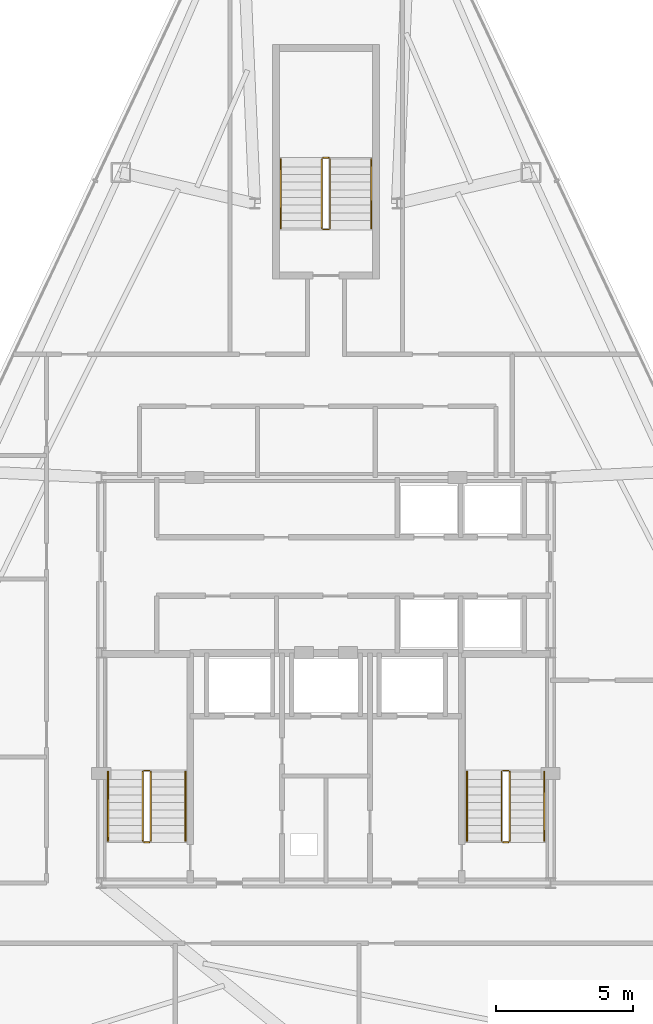
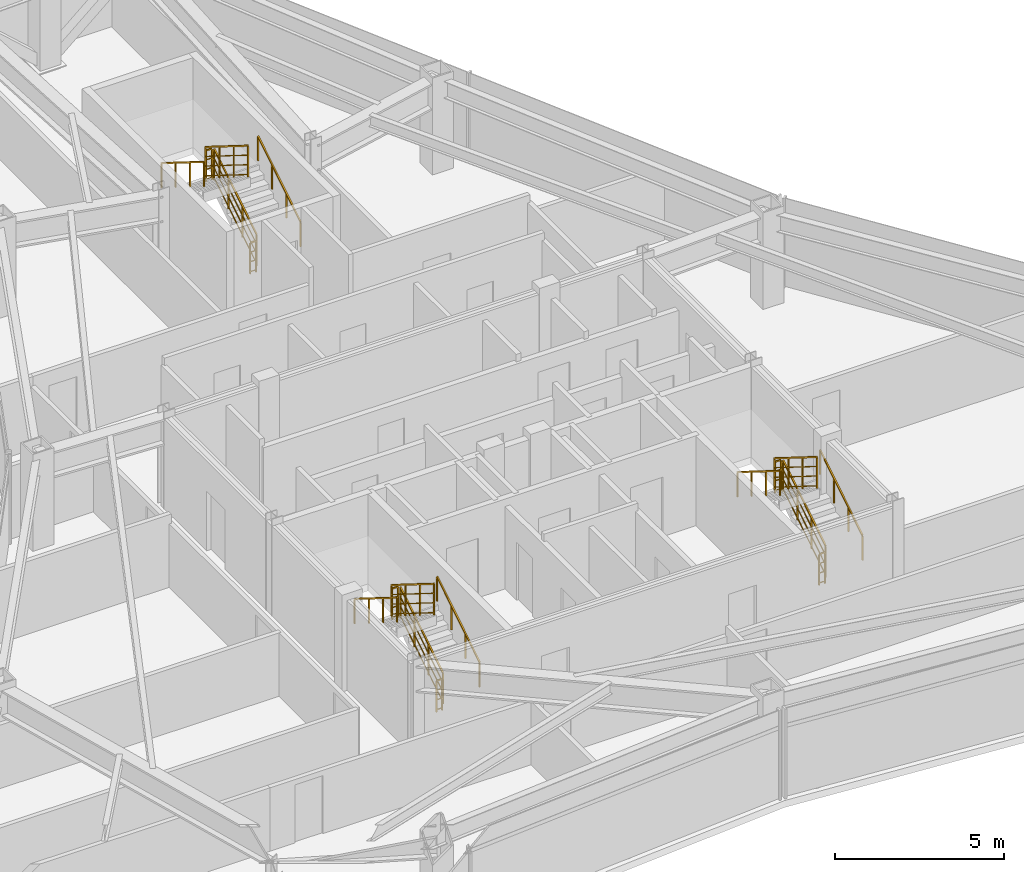
# One storey, part 12 of 12: 18 railings.
"""IFC4 building model written with IfcOpenShell, lengths in metres."""

from ifc_helpers import new_model, si_unit, direction, frame, origin, origin_2d, place, context, subcontext, project, spatial, rectangle, extrude, material, type_object, element, save


model = new_model("IFC4")

# Units and contexts
model_context = context("Model", 3, precision=1e-05, world=origin(), true_north=direction((0.0, 1.0)))
body_context = subcontext(model_context, "Body", "Model", "MODEL_VIEW")
ifc_project = project(units=[si_unit("LENGTHUNIT", "METRE"), si_unit("AREAUNIT", "SQUARE_METRE"), si_unit("VOLUMEUNIT", "CUBIC_METRE"), si_unit("PLANEANGLEUNIT", "RADIAN"), si_unit("MASSUNIT", "GRAM", prefix="KILO")], contexts=[model_context])

# Site, building, storey
site_placement = place(None, origin())
site = spatial("IfcSite", under=ifc_project, at=site_placement, CompositionType="ELEMENT")
building_placement = place(site_placement, origin())
building = spatial("IfcBuilding", under=site, at=building_placement, Name="Varakhsha Concourse Tower", CompositionType="ELEMENT")
storey_placement = place(building_placement, frame((0.0, 0.0, 229.39990234375)))
storey = spatial("IfcBuildingStorey", under=building, at=storey_placement, Name="L65", CompositionType="ELEMENT", Elevation=229.39990234375)

# Railings
ifc_material = material(Name="Brushed Austenitic Stainless Steel AISI 316", Category="steel")
railing_type_1 = type_object("IfcRailingType", Name="RL-STAIR-GUARD-1100", PredefinedType="GUARDRAIL", material=ifc_material)
railing_1_placement = place(storey_placement, frame((33.610107421875, 17.93994140625, 0.175048828125)))
element("IfcRailing", 1, at=railing_1_placement, inside=storey, type_object=railing_type_1, Name="L65 ST1 stair guard 1", PredefinedType="GUARDRAIL", context=body_context, shape_type="SweptSolid", body=[
    extrude(rectangle(XDim=0.048095703125, YDim=0.048095703125, at=origin_2d()), frame((0.0, 0.0, 1.1259765625), z_axis=(0.0, 0.848007534815, 0.529984170421), x_axis=(-1.0, 0.0, 0.0)), (0.0, 0.0, 1.0), 2.9716796875),
    extrude(rectangle(XDim=0.028076171875, YDim=0.028076171875, at=origin_2d()), frame((0.0, 0.0, 0.080078125), z_axis=(0.0, 0.848007534815, 0.529984170421), x_axis=(-1.0, 0.0, 0.0)), (0.0, 0.0, 1.0), 2.9716796875),
    extrude(rectangle(XDim=0.028076171875, YDim=0.028076171875, at=origin_2d()), frame((0.0, 0.0, 0.43701171875), z_axis=(0.0, 0.848007534815, 0.529984170421), x_axis=(-1.0, 0.0, 0.0)), (0.0, 0.0, 1.0), 2.9716796875),
    extrude(rectangle(XDim=0.028076171875, YDim=0.028076171875, at=origin_2d()), frame((0.0, 0.0, 0.781982421875), z_axis=(0.0, 0.848007534815, 0.529984170421), x_axis=(-1.0, 0.0, 0.0)), (0.0, 0.0, 1.0), 2.9716796875),
    extrude(rectangle(XDim=0.0419921875, YDim=0.0419921875, at=origin_2d()), origin(), (0.0, 0.0, 1.0), 1.101806640625),
    extrude(rectangle(XDim=0.0419921875, YDim=0.0419921875, at=origin_2d()), frame((0.0, 0.840087890625, 0.52490234375)), (0.0, 0.0, 1.0), 1.101806640625),
    extrude(rectangle(XDim=0.0419921875, YDim=0.0419921875, at=origin_2d()), frame((0.0, 1.679931640625, 1.050048828125)), (0.0, 0.0, 1.0), 1.101806640625),
    extrude(rectangle(XDim=0.0419921875, YDim=0.0419921875, at=origin_2d()), frame((0.0, 2.52001953125, 1.574951171875)), (0.0, 0.0, 1.0), 1.101806640625),
])
railing_2_placement = place(storey_placement, frame((33.56005859375, 20.510009765625, 1.75)))
element("IfcRailing", 2, at=railing_2_placement, inside=storey, type_object=railing_type_1, Name="L65 ST1 stair guard 2", PredefinedType="GUARDRAIL", context=body_context, shape_type="SweptSolid", body=[
    extrude(rectangle(XDim=0.048095703125, YDim=0.048095703125, at=origin_2d()), frame((0.0, 0.0, 1.1259765625), z_axis=(-1.0, 0.0, 0.0), x_axis=(0.0, -1.0, 0.0)), (0.0, 0.0, 1.0), 0.199951171875),
    extrude(rectangle(XDim=0.028076171875, YDim=0.028076171875, at=origin_2d()), frame((0.0, 0.0, 0.080078125), z_axis=(-1.0, 0.0, 0.0), x_axis=(0.0, -1.0, 0.0)), (0.0, 0.0, 1.0), 0.199951171875),
    extrude(rectangle(XDim=0.028076171875, YDim=0.028076171875, at=origin_2d()), frame((0.0, 0.0, 0.43701171875), z_axis=(-1.0, 0.0, 0.0), x_axis=(0.0, -1.0, 0.0)), (0.0, 0.0, 1.0), 0.199951171875),
    extrude(rectangle(XDim=0.028076171875, YDim=0.028076171875, at=origin_2d()), frame((0.0, 0.0, 0.781982421875), z_axis=(-1.0, 0.0, 0.0), x_axis=(0.0, -1.0, 0.0)), (0.0, 0.0, 1.0), 0.199951171875),
    extrude(rectangle(XDim=0.0419921875, YDim=0.0419921875, at=origin_2d()), origin(), (0.0, 0.0, 1.0), 1.101806640625),
    extrude(rectangle(XDim=0.0419921875, YDim=0.0419921875, at=origin_2d()), frame((-0.199951171875, 0.0, 0.0)), (0.0, 0.0, 1.0), 1.101806640625),
])
railing_3_placement = place(storey_placement, frame((33.31005859375, 20.4599609375, 1.925048828125)))
element("IfcRailing", 3, at=railing_3_placement, inside=storey, type_object=railing_type_1, Name="L65 ST1 stair guard 3", PredefinedType="GUARDRAIL", context=body_context, shape_type="SweptSolid", body=[
    extrude(rectangle(XDim=0.048095703125, YDim=0.048095703125, at=origin_2d()), frame((0.0, 0.0, 1.1259765625), z_axis=(0.0, -0.848007534815, 0.529984170421), x_axis=(1.0, 0.0, 0.0)), (0.0, 0.0, 1.0), 2.9716796875),
    extrude(rectangle(XDim=0.028076171875, YDim=0.028076171875, at=origin_2d()), frame((0.0, 0.0, 0.080078125), z_axis=(0.0, -0.848007534815, 0.529984170421), x_axis=(1.0, 0.0, 0.0)), (0.0, 0.0, 1.0), 2.9716796875),
    extrude(rectangle(XDim=0.028076171875, YDim=0.028076171875, at=origin_2d()), frame((0.0, 0.0, 0.43701171875), z_axis=(0.0, -0.848007534815, 0.529984170421), x_axis=(1.0, 0.0, 0.0)), (0.0, 0.0, 1.0), 2.9716796875),
    extrude(rectangle(XDim=0.028076171875, YDim=0.028076171875, at=origin_2d()), frame((0.0, 0.0, 0.781982421875), z_axis=(0.0, -0.848007534815, 0.529984170421), x_axis=(1.0, 0.0, 0.0)), (0.0, 0.0, 1.0), 2.9716796875),
    extrude(rectangle(XDim=0.0419921875, YDim=0.0419921875, at=origin_2d()), origin(), (0.0, 0.0, 1.0), 1.101806640625),
    extrude(rectangle(XDim=0.0419921875, YDim=0.0419921875, at=origin_2d()), frame((0.0, -0.840087890625, 0.52490234375)), (0.0, 0.0, 1.0), 1.101806640625),
    extrude(rectangle(XDim=0.0419921875, YDim=0.0419921875, at=origin_2d()), frame((0.0, -1.679931640625, 1.050048828125)), (0.0, 0.0, 1.0), 1.101806640625),
    extrude(rectangle(XDim=0.0419921875, YDim=0.0419921875, at=origin_2d()), frame((0.0, -2.52001953125, 1.574951171875)), (0.0, 0.0, 1.0), 1.101806640625),
])
railing_4_placement = place(storey_placement, frame((33.56005859375, 17.889892578125, 0.0)))
element("IfcRailing", 4, at=railing_4_placement, inside=storey, type_object=railing_type_1, Name="L65 ST1 stair guard 4", PredefinedType="GUARDRAIL", context=body_context, shape_type="SweptSolid", body=[
    extrude(rectangle(XDim=0.048095703125, YDim=0.048095703125, at=origin_2d()), frame((0.0, 0.0, 1.1259765625), z_axis=(-1.0, 0.0, 0.0), x_axis=(0.0, -1.0, 0.0)), (0.0, 0.0, 1.0), 0.199951171875),
    extrude(rectangle(XDim=0.028076171875, YDim=0.028076171875, at=origin_2d()), frame((0.0, 0.0, 0.080078125), z_axis=(-1.0, 0.0, 0.0), x_axis=(0.0, -1.0, 0.0)), (0.0, 0.0, 1.0), 0.199951171875),
    extrude(rectangle(XDim=0.028076171875, YDim=0.028076171875, at=origin_2d()), frame((0.0, 0.0, 0.43701171875), z_axis=(-1.0, 0.0, 0.0), x_axis=(0.0, -1.0, 0.0)), (0.0, 0.0, 1.0), 0.199951171875),
    extrude(rectangle(XDim=0.028076171875, YDim=0.028076171875, at=origin_2d()), frame((0.0, 0.0, 0.781982421875), z_axis=(-1.0, 0.0, 0.0), x_axis=(0.0, -1.0, 0.0)), (0.0, 0.0, 1.0), 0.199951171875),
    extrude(rectangle(XDim=0.0419921875, YDim=0.0419921875, at=origin_2d()), origin(), (0.0, 0.0, 1.0), 1.101806640625),
    extrude(rectangle(XDim=0.0419921875, YDim=0.0419921875, at=origin_2d()), frame((-0.199951171875, 0.0, 0.0)), (0.0, 0.0, 1.0), 1.101806640625),
])
railing_5_placement = place(storey_placement, frame((46.7099609375, 17.93994140625, 0.175048828125)))
element("IfcRailing", 5, at=railing_5_placement, inside=storey, type_object=railing_type_1, Name="L65 ST2 stair guard 1", PredefinedType="GUARDRAIL", context=body_context, shape_type="SweptSolid", body=[
    extrude(rectangle(XDim=0.048095703125, YDim=0.048095703125, at=origin_2d()), frame((0.0, 0.0, 1.1259765625), z_axis=(0.0, 0.848007534815, 0.529984170421), x_axis=(-1.0, 0.0, 0.0)), (0.0, 0.0, 1.0), 2.9716796875),
    extrude(rectangle(XDim=0.028076171875, YDim=0.028076171875, at=origin_2d()), frame((0.0, 0.0, 0.080078125), z_axis=(0.0, 0.848007534815, 0.529984170421), x_axis=(-1.0, 0.0, 0.0)), (0.0, 0.0, 1.0), 2.9716796875),
    extrude(rectangle(XDim=0.028076171875, YDim=0.028076171875, at=origin_2d()), frame((0.0, 0.0, 0.43701171875), z_axis=(0.0, 0.848007534815, 0.529984170421), x_axis=(-1.0, 0.0, 0.0)), (0.0, 0.0, 1.0), 2.9716796875),
    extrude(rectangle(XDim=0.028076171875, YDim=0.028076171875, at=origin_2d()), frame((0.0, 0.0, 0.781982421875), z_axis=(0.0, 0.848007534815, 0.529984170421), x_axis=(-1.0, 0.0, 0.0)), (0.0, 0.0, 1.0), 2.9716796875),
    extrude(rectangle(XDim=0.0419921875, YDim=0.0419921875, at=origin_2d()), origin(), (0.0, 0.0, 1.0), 1.101806640625),
    extrude(rectangle(XDim=0.0419921875, YDim=0.0419921875, at=origin_2d()), frame((0.0, 0.840087890625, 0.52490234375)), (0.0, 0.0, 1.0), 1.101806640625),
    extrude(rectangle(XDim=0.0419921875, YDim=0.0419921875, at=origin_2d()), frame((0.0, 1.679931640625, 1.050048828125)), (0.0, 0.0, 1.0), 1.101806640625),
    extrude(rectangle(XDim=0.0419921875, YDim=0.0419921875, at=origin_2d()), frame((0.0, 2.52001953125, 1.574951171875)), (0.0, 0.0, 1.0), 1.101806640625),
])
railing_6_placement = place(storey_placement, frame((46.659912109375, 20.510009765625, 1.75)))
element("IfcRailing", 6, at=railing_6_placement, inside=storey, type_object=railing_type_1, Name="L65 ST2 stair guard 2", PredefinedType="GUARDRAIL", context=body_context, shape_type="SweptSolid", body=[
    extrude(rectangle(XDim=0.048095703125, YDim=0.048095703125, at=origin_2d()), frame((0.0, 0.0, 1.1259765625), z_axis=(-1.0, 0.0, 0.0), x_axis=(0.0, -1.0, 0.0)), (0.0, 0.0, 1.0), 0.199951171875),
    extrude(rectangle(XDim=0.028076171875, YDim=0.028076171875, at=origin_2d()), frame((0.0, 0.0, 0.080078125), z_axis=(-1.0, 0.0, 0.0), x_axis=(0.0, -1.0, 0.0)), (0.0, 0.0, 1.0), 0.199951171875),
    extrude(rectangle(XDim=0.028076171875, YDim=0.028076171875, at=origin_2d()), frame((0.0, 0.0, 0.43701171875), z_axis=(-1.0, 0.0, 0.0), x_axis=(0.0, -1.0, 0.0)), (0.0, 0.0, 1.0), 0.199951171875),
    extrude(rectangle(XDim=0.028076171875, YDim=0.028076171875, at=origin_2d()), frame((0.0, 0.0, 0.781982421875), z_axis=(-1.0, 0.0, 0.0), x_axis=(0.0, -1.0, 0.0)), (0.0, 0.0, 1.0), 0.199951171875),
    extrude(rectangle(XDim=0.0419921875, YDim=0.0419921875, at=origin_2d()), origin(), (0.0, 0.0, 1.0), 1.101806640625),
    extrude(rectangle(XDim=0.0419921875, YDim=0.0419921875, at=origin_2d()), frame((-0.199951171875, 0.0, 0.0)), (0.0, 0.0, 1.0), 1.101806640625),
])
railing_7_placement = place(storey_placement, frame((46.409912109375, 20.4599609375, 1.925048828125)))
element("IfcRailing", 7, at=railing_7_placement, inside=storey, type_object=railing_type_1, Name="L65 ST2 stair guard 3", PredefinedType="GUARDRAIL", context=body_context, shape_type="SweptSolid", body=[
    extrude(rectangle(XDim=0.048095703125, YDim=0.048095703125, at=origin_2d()), frame((0.0, 0.0, 1.1259765625), z_axis=(0.0, -0.848007534815, 0.529984170421), x_axis=(1.0, 0.0, 0.0)), (0.0, 0.0, 1.0), 2.9716796875),
    extrude(rectangle(XDim=0.028076171875, YDim=0.028076171875, at=origin_2d()), frame((0.0, 0.0, 0.080078125), z_axis=(0.0, -0.848007534815, 0.529984170421), x_axis=(1.0, 0.0, 0.0)), (0.0, 0.0, 1.0), 2.9716796875),
    extrude(rectangle(XDim=0.028076171875, YDim=0.028076171875, at=origin_2d()), frame((0.0, 0.0, 0.43701171875), z_axis=(0.0, -0.848007534815, 0.529984170421), x_axis=(1.0, 0.0, 0.0)), (0.0, 0.0, 1.0), 2.9716796875),
    extrude(rectangle(XDim=0.028076171875, YDim=0.028076171875, at=origin_2d()), frame((0.0, 0.0, 0.781982421875), z_axis=(0.0, -0.848007534815, 0.529984170421), x_axis=(1.0, 0.0, 0.0)), (0.0, 0.0, 1.0), 2.9716796875),
    extrude(rectangle(XDim=0.0419921875, YDim=0.0419921875, at=origin_2d()), origin(), (0.0, 0.0, 1.0), 1.101806640625),
    extrude(rectangle(XDim=0.0419921875, YDim=0.0419921875, at=origin_2d()), frame((0.0, -0.840087890625, 0.52490234375)), (0.0, 0.0, 1.0), 1.101806640625),
    extrude(rectangle(XDim=0.0419921875, YDim=0.0419921875, at=origin_2d()), frame((0.0, -1.679931640625, 1.050048828125)), (0.0, 0.0, 1.0), 1.101806640625),
    extrude(rectangle(XDim=0.0419921875, YDim=0.0419921875, at=origin_2d()), frame((0.0, -2.52001953125, 1.574951171875)), (0.0, 0.0, 1.0), 1.101806640625),
])
railing_8_placement = place(storey_placement, frame((46.659912109375, 17.889892578125, 0.0)))
element("IfcRailing", 8, at=railing_8_placement, inside=storey, type_object=railing_type_1, Name="L65 ST2 stair guard 4", PredefinedType="GUARDRAIL", context=body_context, shape_type="SweptSolid", body=[
    extrude(rectangle(XDim=0.048095703125, YDim=0.048095703125, at=origin_2d()), frame((0.0, 0.0, 1.1259765625), z_axis=(-1.0, 0.0, 0.0), x_axis=(0.0, -1.0, 0.0)), (0.0, 0.0, 1.0), 0.199951171875),
    extrude(rectangle(XDim=0.028076171875, YDim=0.028076171875, at=origin_2d()), frame((0.0, 0.0, 0.080078125), z_axis=(-1.0, 0.0, 0.0), x_axis=(0.0, -1.0, 0.0)), (0.0, 0.0, 1.0), 0.199951171875),
    extrude(rectangle(XDim=0.028076171875, YDim=0.028076171875, at=origin_2d()), frame((0.0, 0.0, 0.43701171875), z_axis=(-1.0, 0.0, 0.0), x_axis=(0.0, -1.0, 0.0)), (0.0, 0.0, 1.0), 0.199951171875),
    extrude(rectangle(XDim=0.028076171875, YDim=0.028076171875, at=origin_2d()), frame((0.0, 0.0, 0.781982421875), z_axis=(-1.0, 0.0, 0.0), x_axis=(0.0, -1.0, 0.0)), (0.0, 0.0, 1.0), 0.199951171875),
    extrude(rectangle(XDim=0.0419921875, YDim=0.0419921875, at=origin_2d()), origin(), (0.0, 0.0, 1.0), 1.101806640625),
    extrude(rectangle(XDim=0.0419921875, YDim=0.0419921875, at=origin_2d()), frame((-0.199951171875, 0.0, 0.0)), (0.0, 0.0, 1.0), 1.101806640625),
])
railing_9_placement = place(storey_placement, frame((40.14990234375, 40.300048828125, 0.175048828125)))
element("IfcRailing", 9, at=railing_9_placement, inside=storey, type_object=railing_type_1, Name="L65 ST5 stair guard 1", PredefinedType="GUARDRAIL", context=body_context, shape_type="SweptSolid", body=[
    extrude(rectangle(XDim=0.048095703125, YDim=0.048095703125, at=origin_2d()), frame((0.0, 0.0, 1.1259765625), z_axis=(0.0, 0.848007534815, 0.529984170421), x_axis=(-1.0, 0.0, 0.0)), (0.0, 0.0, 1.0), 2.9716796875),
    extrude(rectangle(XDim=0.028076171875, YDim=0.028076171875, at=origin_2d()), frame((0.0, 0.0, 0.080078125), z_axis=(0.0, 0.848007534815, 0.529984170421), x_axis=(-1.0, 0.0, 0.0)), (0.0, 0.0, 1.0), 2.9716796875),
    extrude(rectangle(XDim=0.028076171875, YDim=0.028076171875, at=origin_2d()), frame((0.0, 0.0, 0.43701171875), z_axis=(0.0, 0.848007534815, 0.529984170421), x_axis=(-1.0, 0.0, 0.0)), (0.0, 0.0, 1.0), 2.9716796875),
    extrude(rectangle(XDim=0.028076171875, YDim=0.028076171875, at=origin_2d()), frame((0.0, 0.0, 0.781982421875), z_axis=(0.0, 0.848007534815, 0.529984170421), x_axis=(-1.0, 0.0, 0.0)), (0.0, 0.0, 1.0), 2.9716796875),
    extrude(rectangle(XDim=0.0419921875, YDim=0.0419921875, at=origin_2d()), origin(), (0.0, 0.0, 1.0), 1.101806640625),
    extrude(rectangle(XDim=0.0419921875, YDim=0.0419921875, at=origin_2d()), frame((0.0, 0.840087890625, 0.52490234375)), (0.0, 0.0, 1.0), 1.101806640625),
    extrude(rectangle(XDim=0.0419921875, YDim=0.0419921875, at=origin_2d()), frame((0.0, 1.679931640625, 1.050048828125)), (0.0, 0.0, 1.0), 1.101806640625),
    extrude(rectangle(XDim=0.0419921875, YDim=0.0419921875, at=origin_2d()), frame((0.0, 2.52001953125, 1.574951171875)), (0.0, 0.0, 1.0), 1.101806640625),
])
railing_10_placement = place(storey_placement, frame((40.10009765625, 42.8701171875, 1.75)))
element("IfcRailing", 10, at=railing_10_placement, inside=storey, type_object=railing_type_1, Name="L65 ST5 stair guard 2", PredefinedType="GUARDRAIL", context=body_context, shape_type="SweptSolid", body=[
    extrude(rectangle(XDim=0.048095703125, YDim=0.048095703125, at=origin_2d()), frame((0.0, 0.0, 1.1259765625), z_axis=(-1.0, 0.0, 0.0), x_axis=(0.0, -1.0, 0.0)), (0.0, 0.0, 1.0), 0.2001953125),
    extrude(rectangle(XDim=0.028076171875, YDim=0.028076171875, at=origin_2d()), frame((0.0, 0.0, 0.080078125), z_axis=(-1.0, 0.0, 0.0), x_axis=(0.0, -1.0, 0.0)), (0.0, 0.0, 1.0), 0.2001953125),
    extrude(rectangle(XDim=0.028076171875, YDim=0.028076171875, at=origin_2d()), frame((0.0, 0.0, 0.43701171875), z_axis=(-1.0, 0.0, 0.0), x_axis=(0.0, -1.0, 0.0)), (0.0, 0.0, 1.0), 0.2001953125),
    extrude(rectangle(XDim=0.028076171875, YDim=0.028076171875, at=origin_2d()), frame((0.0, 0.0, 0.781982421875), z_axis=(-1.0, 0.0, 0.0), x_axis=(0.0, -1.0, 0.0)), (0.0, 0.0, 1.0), 0.2001953125),
    extrude(rectangle(XDim=0.0419921875, YDim=0.0419921875, at=origin_2d()), origin(), (0.0, 0.0, 1.0), 1.101806640625),
    extrude(rectangle(XDim=0.0419921875, YDim=0.0419921875, at=origin_2d()), frame((-0.2001953125, 0.0, 0.0)), (0.0, 0.0, 1.0), 1.101806640625),
])
railing_11_placement = place(storey_placement, frame((39.85009765625, 42.820068359375, 1.925048828125)))
element("IfcRailing", 11, at=railing_11_placement, inside=storey, type_object=railing_type_1, Name="L65 ST5 stair guard 3", PredefinedType="GUARDRAIL", context=body_context, shape_type="SweptSolid", body=[
    extrude(rectangle(XDim=0.048095703125, YDim=0.048095703125, at=origin_2d()), frame((0.0, 0.0, 1.1259765625), z_axis=(0.0, -0.848007534815, 0.529984170421), x_axis=(1.0, 0.0, 0.0)), (0.0, 0.0, 1.0), 2.9716796875),
    extrude(rectangle(XDim=0.028076171875, YDim=0.028076171875, at=origin_2d()), frame((0.0, 0.0, 0.080078125), z_axis=(0.0, -0.848007534815, 0.529984170421), x_axis=(1.0, 0.0, 0.0)), (0.0, 0.0, 1.0), 2.9716796875),
    extrude(rectangle(XDim=0.028076171875, YDim=0.028076171875, at=origin_2d()), frame((0.0, 0.0, 0.43701171875), z_axis=(0.0, -0.848007534815, 0.529984170421), x_axis=(1.0, 0.0, 0.0)), (0.0, 0.0, 1.0), 2.9716796875),
    extrude(rectangle(XDim=0.028076171875, YDim=0.028076171875, at=origin_2d()), frame((0.0, 0.0, 0.781982421875), z_axis=(0.0, -0.848007534815, 0.529984170421), x_axis=(1.0, 0.0, 0.0)), (0.0, 0.0, 1.0), 2.9716796875),
    extrude(rectangle(XDim=0.0419921875, YDim=0.0419921875, at=origin_2d()), origin(), (0.0, 0.0, 1.0), 1.101806640625),
    extrude(rectangle(XDim=0.0419921875, YDim=0.0419921875, at=origin_2d()), frame((0.0, -0.840087890625, 0.52490234375)), (0.0, 0.0, 1.0), 1.101806640625),
    extrude(rectangle(XDim=0.0419921875, YDim=0.0419921875, at=origin_2d()), frame((0.0, -1.679931640625, 1.050048828125)), (0.0, 0.0, 1.0), 1.101806640625),
    extrude(rectangle(XDim=0.0419921875, YDim=0.0419921875, at=origin_2d()), frame((0.0, -2.52001953125, 1.574951171875)), (0.0, 0.0, 1.0), 1.101806640625),
])
railing_12_placement = place(storey_placement, frame((40.10009765625, 40.25, 0.0)))
element("IfcRailing", 12, at=railing_12_placement, inside=storey, type_object=railing_type_1, Name="L65 ST5 stair guard 4", PredefinedType="GUARDRAIL", context=body_context, shape_type="SweptSolid", body=[
    extrude(rectangle(XDim=0.048095703125, YDim=0.048095703125, at=origin_2d()), frame((0.0, 0.0, 1.1259765625), z_axis=(-1.0, 0.0, 0.0), x_axis=(0.0, -1.0, 0.0)), (0.0, 0.0, 1.0), 0.2001953125),
    extrude(rectangle(XDim=0.028076171875, YDim=0.028076171875, at=origin_2d()), frame((0.0, 0.0, 0.080078125), z_axis=(-1.0, 0.0, 0.0), x_axis=(0.0, -1.0, 0.0)), (0.0, 0.0, 1.0), 0.2001953125),
    extrude(rectangle(XDim=0.028076171875, YDim=0.028076171875, at=origin_2d()), frame((0.0, 0.0, 0.43701171875), z_axis=(-1.0, 0.0, 0.0), x_axis=(0.0, -1.0, 0.0)), (0.0, 0.0, 1.0), 0.2001953125),
    extrude(rectangle(XDim=0.028076171875, YDim=0.028076171875, at=origin_2d()), frame((0.0, 0.0, 0.781982421875), z_axis=(-1.0, 0.0, 0.0), x_axis=(0.0, -1.0, 0.0)), (0.0, 0.0, 1.0), 0.2001953125),
    extrude(rectangle(XDim=0.0419921875, YDim=0.0419921875, at=origin_2d()), origin(), (0.0, 0.0, 1.0), 1.101806640625),
    extrude(rectangle(XDim=0.0419921875, YDim=0.0419921875, at=origin_2d()), frame((-0.2001953125, 0.0, 0.0)), (0.0, 0.0, 1.0), 1.101806640625),
])
railing_type_2 = type_object("IfcRailingType", Name="RL-STAIR-RAIL-915", PredefinedType="HANDRAIL", material=ifc_material)
railing_13_placement = place(storey_placement, frame((34.8701171875, 17.93994140625, 0.35009765625)))
element("IfcRailing", 13, at=railing_13_placement, inside=storey, type_object=railing_type_2, Name="L65 ST1 stair handrail 1", PredefinedType="HANDRAIL", context=body_context, shape_type="SweptSolid", body=[
    extrude(rectangle(XDim=0.048095703125, YDim=0.048095703125, at=origin_2d()), frame((0.0, 0.0, 0.89111328125), z_axis=(0.0, 0.848007534815, 0.529984170421), x_axis=(-1.0, 0.0, 0.0)), (0.0, 0.0, 1.0), 2.9716796875),
    extrude(rectangle(XDim=0.0419921875, YDim=0.0419921875, at=origin_2d()), origin(), (0.0, 0.0, 1.0), 0.866943359375),
    extrude(rectangle(XDim=0.0419921875, YDim=0.0419921875, at=origin_2d()), frame((0.0, 0.840087890625, 0.52490234375)), (0.0, 0.0, 1.0), 0.866943359375),
    extrude(rectangle(XDim=0.0419921875, YDim=0.0419921875, at=origin_2d()), frame((0.0, 1.679931640625, 1.050048828125)), (0.0, 0.0, 1.0), 0.866943359375),
    extrude(rectangle(XDim=0.0419921875, YDim=0.0419921875, at=origin_2d()), frame((0.0, 2.52001953125, 1.574951171875)), (0.0, 0.0, 1.0), 0.866943359375),
])
railing_14_placement = place(storey_placement, frame((32.050048828125, 20.4599609375, 2.10009765625)))
element("IfcRailing", 14, at=railing_14_placement, inside=storey, type_object=railing_type_2, Name="L65 ST1 stair handrail 2", PredefinedType="HANDRAIL", context=body_context, shape_type="SweptSolid", body=[
    extrude(rectangle(XDim=0.048095703125, YDim=0.048095703125, at=origin_2d()), frame((0.0, 0.0, 0.89111328125), z_axis=(0.0, -0.848007534815, 0.529984170421), x_axis=(1.0, 0.0, 0.0)), (0.0, 0.0, 1.0), 2.9716796875),
    extrude(rectangle(XDim=0.0419921875, YDim=0.0419921875, at=origin_2d()), origin(), (0.0, 0.0, 1.0), 0.866943359375),
    extrude(rectangle(XDim=0.0419921875, YDim=0.0419921875, at=origin_2d()), frame((0.0, -0.840087890625, 0.52490234375)), (0.0, 0.0, 1.0), 0.866943359375),
    extrude(rectangle(XDim=0.0419921875, YDim=0.0419921875, at=origin_2d()), frame((0.0, -1.679931640625, 1.050048828125)), (0.0, 0.0, 1.0), 0.866943359375),
    extrude(rectangle(XDim=0.0419921875, YDim=0.0419921875, at=origin_2d()), frame((0.0, -2.52001953125, 1.574951171875)), (0.0, 0.0, 1.0), 0.866943359375),
])
railing_15_placement = place(storey_placement, frame((47.969970703125, 17.93994140625, 0.35009765625)))
element("IfcRailing", 15, at=railing_15_placement, inside=storey, type_object=railing_type_2, Name="L65 ST2 stair handrail 1", PredefinedType="HANDRAIL", context=body_context, shape_type="SweptSolid", body=[
    extrude(rectangle(XDim=0.048095703125, YDim=0.048095703125, at=origin_2d()), frame((0.0, 0.0, 0.89111328125), z_axis=(0.0, 0.848007534815, 0.529984170421), x_axis=(-1.0, 0.0, 0.0)), (0.0, 0.0, 1.0), 2.9716796875),
    extrude(rectangle(XDim=0.0419921875, YDim=0.0419921875, at=origin_2d()), origin(), (0.0, 0.0, 1.0), 0.866943359375),
    extrude(rectangle(XDim=0.0419921875, YDim=0.0419921875, at=origin_2d()), frame((0.0, 0.840087890625, 0.52490234375)), (0.0, 0.0, 1.0), 0.866943359375),
    extrude(rectangle(XDim=0.0419921875, YDim=0.0419921875, at=origin_2d()), frame((0.0, 1.679931640625, 1.050048828125)), (0.0, 0.0, 1.0), 0.866943359375),
    extrude(rectangle(XDim=0.0419921875, YDim=0.0419921875, at=origin_2d()), frame((0.0, 2.52001953125, 1.574951171875)), (0.0, 0.0, 1.0), 0.866943359375),
])
railing_16_placement = place(storey_placement, frame((45.14990234375, 20.4599609375, 2.10009765625)))
element("IfcRailing", 16, at=railing_16_placement, inside=storey, type_object=railing_type_2, Name="L65 ST2 stair handrail 2", PredefinedType="HANDRAIL", context=body_context, shape_type="SweptSolid", body=[
    extrude(rectangle(XDim=0.048095703125, YDim=0.048095703125, at=origin_2d()), frame((0.0, 0.0, 0.89111328125), z_axis=(0.0, -0.848007534815, 0.529984170421), x_axis=(1.0, 0.0, 0.0)), (0.0, 0.0, 1.0), 2.9716796875),
    extrude(rectangle(XDim=0.0419921875, YDim=0.0419921875, at=origin_2d()), origin(), (0.0, 0.0, 1.0), 0.866943359375),
    extrude(rectangle(XDim=0.0419921875, YDim=0.0419921875, at=origin_2d()), frame((0.0, -0.840087890625, 0.52490234375)), (0.0, 0.0, 1.0), 0.866943359375),
    extrude(rectangle(XDim=0.0419921875, YDim=0.0419921875, at=origin_2d()), frame((0.0, -1.679931640625, 1.050048828125)), (0.0, 0.0, 1.0), 0.866943359375),
    extrude(rectangle(XDim=0.0419921875, YDim=0.0419921875, at=origin_2d()), frame((0.0, -2.52001953125, 1.574951171875)), (0.0, 0.0, 1.0), 0.866943359375),
])
railing_17_placement = place(storey_placement, frame((41.64990234375, 40.300048828125, 0.35009765625)))
element("IfcRailing", 17, at=railing_17_placement, inside=storey, type_object=railing_type_2, Name="L65 ST5 stair handrail 1", PredefinedType="HANDRAIL", context=body_context, shape_type="SweptSolid", body=[
    extrude(rectangle(XDim=0.048095703125, YDim=0.048095703125, at=origin_2d()), frame((0.0, 0.0, 0.89111328125), z_axis=(0.0, 0.848007534815, 0.529984170421), x_axis=(-1.0, 0.0, 0.0)), (0.0, 0.0, 1.0), 2.9716796875),
    extrude(rectangle(XDim=0.0419921875, YDim=0.0419921875, at=origin_2d()), origin(), (0.0, 0.0, 1.0), 0.866943359375),
    extrude(rectangle(XDim=0.0419921875, YDim=0.0419921875, at=origin_2d()), frame((0.0, 0.840087890625, 0.52490234375)), (0.0, 0.0, 1.0), 0.866943359375),
    extrude(rectangle(XDim=0.0419921875, YDim=0.0419921875, at=origin_2d()), frame((0.0, 1.679931640625, 1.050048828125)), (0.0, 0.0, 1.0), 0.866943359375),
    extrude(rectangle(XDim=0.0419921875, YDim=0.0419921875, at=origin_2d()), frame((0.0, 2.52001953125, 1.574951171875)), (0.0, 0.0, 1.0), 0.866943359375),
])
railing_18_placement = place(storey_placement, frame((38.35009765625, 42.820068359375, 2.10009765625)))
element("IfcRailing", 18, at=railing_18_placement, inside=storey, type_object=railing_type_2, Name="L65 ST5 stair handrail 2", PredefinedType="HANDRAIL", context=body_context, shape_type="SweptSolid", body=[
    extrude(rectangle(XDim=0.048095703125, YDim=0.048095703125, at=origin_2d()), frame((0.0, 0.0, 0.89111328125), z_axis=(0.0, -0.848007534815, 0.529984170421), x_axis=(1.0, 0.0, 0.0)), (0.0, 0.0, 1.0), 2.9716796875),
    extrude(rectangle(XDim=0.0419921875, YDim=0.0419921875, at=origin_2d()), origin(), (0.0, 0.0, 1.0), 0.866943359375),
    extrude(rectangle(XDim=0.0419921875, YDim=0.0419921875, at=origin_2d()), frame((0.0, -0.840087890625, 0.52490234375)), (0.0, 0.0, 1.0), 0.866943359375),
    extrude(rectangle(XDim=0.0419921875, YDim=0.0419921875, at=origin_2d()), frame((0.0, -1.679931640625, 1.050048828125)), (0.0, 0.0, 1.0), 0.866943359375),
    extrude(rectangle(XDim=0.0419921875, YDim=0.0419921875, at=origin_2d()), frame((0.0, -2.52001953125, 1.574951171875)), (0.0, 0.0, 1.0), 0.866943359375),
])

save(model, "model.ifc")
